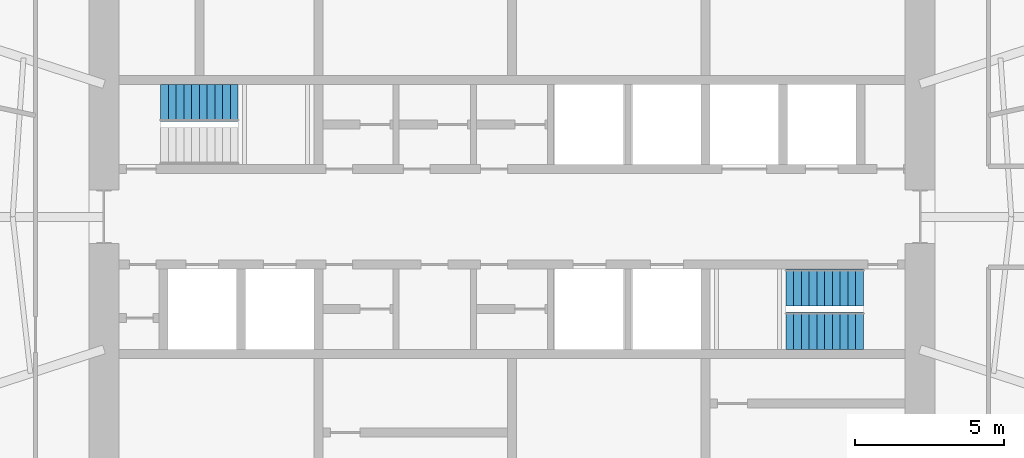
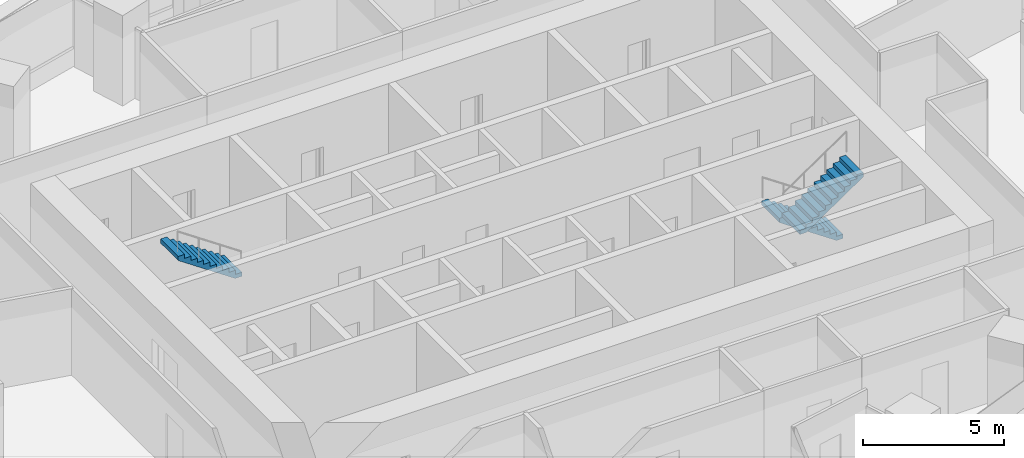
# One storey, part 13 of 15: 3 stair flights, 2 elements without a shape of their own.
"""IFC4 building model written with IfcOpenShell, lengths in metres."""

from ifc_helpers import new_model, si_unit, direction, frame, origin, place, context, subcontext, project, spatial, polyline, outline, extrude, material, type_object, element, aggregate, save


model = new_model("IFC4")

# Units and contexts
model_context = context("Model", 3, precision=1e-05, world=origin(), true_north=direction((0.0, 1.0)))
body_context = subcontext(model_context, "Body", "Model", "MODEL_VIEW")
ifc_project = project(units=[si_unit("LENGTHUNIT", "METRE"), si_unit("AREAUNIT", "SQUARE_METRE"), si_unit("VOLUMEUNIT", "CUBIC_METRE"), si_unit("PLANEANGLEUNIT", "RADIAN"), si_unit("MASSUNIT", "GRAM", prefix="KILO")], contexts=[model_context])

# Site, building, storey
site_placement = place(None, origin())
site = spatial("IfcSite", under=ifc_project, at=site_placement, CompositionType="ELEMENT")
building_placement = place(site_placement, origin())
building = spatial("IfcBuilding", under=site, at=building_placement, Name="Marramba Exchange Tower", CompositionType="ELEMENT")
storey_placement = place(building_placement, frame((0.0, 0.0, 226.699951171875)))
storey = spatial("IfcBuildingStorey", under=building, at=storey_placement, Name="L55", CompositionType="ELEMENT", Elevation=226.699951171875)

# Stair, stair flight
ifc_material = material(Name="Concrete N40 (40 MPa)", Category="concrete")
stair_type_1 = type_object("IfcStairType", Name="Exit stair ST1 3900 x 1250", PredefinedType="HALF_TURN_STAIR", material=ifc_material)
stair_1_placement = place(storey_placement, origin())
stair_1 = element("IfcStair", 1, at=stair_1_placement, inside=storey, type_object=stair_type_1, Name="Exit stair ST1 L55", PredefinedType="HALF_TURN_STAIR")
stair_flight_type_1 = type_object("IfcStairFlightType", Name="ST1 stair flight 1773 riser 1250 wide", PredefinedType="STRAIGHT", material=ifc_material)
stair_flight_1_placement = place(storey_placement, frame((-9.199951171875, 3.824951171875, 1.949951171875), z_axis=(0.0, 0.0, 1.0), x_axis=(-1.0, 0.0, 0.0)))
stair_flight_1 = element("IfcStairFlight", 2, at=stair_flight_1_placement, type_object=stair_flight_type_1, Name="ST1 flight 2", NumberOfRisers=11, NumberOfTreads=10, PredefinedType="STRAIGHT", RiserHeight=0.177272727, TreadLength=0.26, context=body_context, shape_type="SweptSolid", body=[
    extrude(outline(polyline([(0.0, 0.0), (0.0, 0.17724609375), (0.260009765625, 0.17724609375), (0.260009765625, 0.3544921875), (0.52001953125, 0.3544921875), (0.52001953125, 0.53173828125), (0.780029296875, 0.53173828125), (0.780029296875, 0.708984375), (1.0400390625, 0.708984375), (1.0400390625, 0.886474609375), (1.300048828125, 0.886474609375), (1.300048828125, 1.063720703125), (1.56005859375, 1.063720703125), (1.56005859375, 1.240966796875), (1.820068359375, 1.240966796875), (1.820068359375, 1.418212890625), (2.080078125, 1.418212890625), (2.080078125, 1.595458984375), (2.340087890625, 1.595458984375), (2.340087890625, 1.772705078125), (2.60009765625, 1.772705078125), (2.60009765625, 1.949951171875), (2.60009765625, 1.59130859375), (0.26611328125, 0.0), (0.0, 0.0)])), frame((0.0, 0.625, 0.0), z_axis=(0.0, -1.0, 0.0), x_axis=(1.0, 0.0, 0.0)), (0.0, 0.0, 1.0), 1.25),
])
aggregate(stair_1, [stair_flight_1])

# Stair, stair flights
stair_type_2 = type_object("IfcStairType", Name="Exit stair ST2 3900 x 1250", PredefinedType="HALF_TURN_STAIR", material=ifc_material)
stair_2_placement = place(storey_placement, origin())
stair_2 = element("IfcStair", 3, at=stair_2_placement, inside=storey, type_object=stair_type_2, Name="Exit stair ST2 L55", PredefinedType="HALF_TURN_STAIR")
stair_flight_type_2 = type_object("IfcStairFlightType", Name="ST2 stair flight 1773 riser 1250 wide", PredefinedType="STRAIGHT", material=ifc_material)
stair_flight_2_placement = place(storey_placement, frame((11.800048828125, -2.375, 0.0), z_axis=(0.0, 0.0, 1.0), x_axis=(-1.0, 0.0, 0.0)))
stair_flight_2 = element("IfcStairFlight", 4, at=stair_flight_2_placement, type_object=stair_flight_type_2, Name="ST2 flight 1", NumberOfRisers=11, NumberOfTreads=10, PredefinedType="STRAIGHT", RiserHeight=0.177272727, TreadLength=0.26, context=body_context, shape_type="SweptSolid", body=[
    extrude(outline(polyline([(0.0, 0.0), (0.0, 0.17724609375), (0.260009765625, 0.17724609375), (0.260009765625, 0.3544921875), (0.52001953125, 0.3544921875), (0.52001953125, 0.53173828125), (0.780029296875, 0.53173828125), (0.780029296875, 0.708984375), (1.0400390625, 0.708984375), (1.0400390625, 0.886474609375), (1.300048828125, 0.886474609375), (1.300048828125, 1.063720703125), (1.56005859375, 1.063720703125), (1.56005859375, 1.240966796875), (1.820068359375, 1.240966796875), (1.820068359375, 1.418212890625), (2.080078125, 1.418212890625), (2.080078125, 1.595458984375), (2.340087890625, 1.595458984375), (2.340087890625, 1.772705078125), (2.60009765625, 1.772705078125), (2.60009765625, 1.949951171875), (2.60009765625, 1.59130859375), (0.26611328125, 0.0), (0.0, 0.0)])), frame((0.0, 0.625, 0.0), z_axis=(0.0, -1.0, 0.0), x_axis=(1.0, 0.0, 0.0)), (0.0, 0.0, 1.0), 1.25),
])
stair_flight_3_placement = place(storey_placement, frame((9.199951171875, -3.824951171875, 1.949951171875), z_axis=(0.0, 0.0, 1.0), x_axis=(1.0, 0.0, 0.0)))
stair_flight_3 = element("IfcStairFlight", 5, at=stair_flight_3_placement, type_object=stair_flight_type_2, Name="ST2 flight 2", NumberOfRisers=11, NumberOfTreads=10, PredefinedType="STRAIGHT", RiserHeight=0.177272727, TreadLength=0.26, context=body_context, shape_type="SweptSolid", body=[
    extrude(outline(polyline([(0.0, 0.0), (0.0, 0.17724609375), (0.260009765625, 0.17724609375), (0.260009765625, 0.3544921875), (0.52001953125, 0.3544921875), (0.52001953125, 0.53173828125), (0.780029296875, 0.53173828125), (0.780029296875, 0.708984375), (1.0400390625, 0.708984375), (1.0400390625, 0.886474609375), (1.300048828125, 0.886474609375), (1.300048828125, 1.063720703125), (1.56005859375, 1.063720703125), (1.56005859375, 1.240966796875), (1.820068359375, 1.240966796875), (1.820068359375, 1.418212890625), (2.080078125, 1.418212890625), (2.080078125, 1.595458984375), (2.340087890625, 1.595458984375), (2.340087890625, 1.772705078125), (2.60009765625, 1.772705078125), (2.60009765625, 1.949951171875), (2.60009765625, 1.59130859375), (0.26611328125, 0.0), (0.0, 0.0)])), frame((0.0, 0.625, 0.0), z_axis=(0.0, -1.0, 0.0), x_axis=(1.0, 0.0, 0.0)), (0.0, 0.0, 1.0), 1.25),
])
aggregate(stair_2, [stair_flight_2, stair_flight_3])

save(model, "model.ifc")
